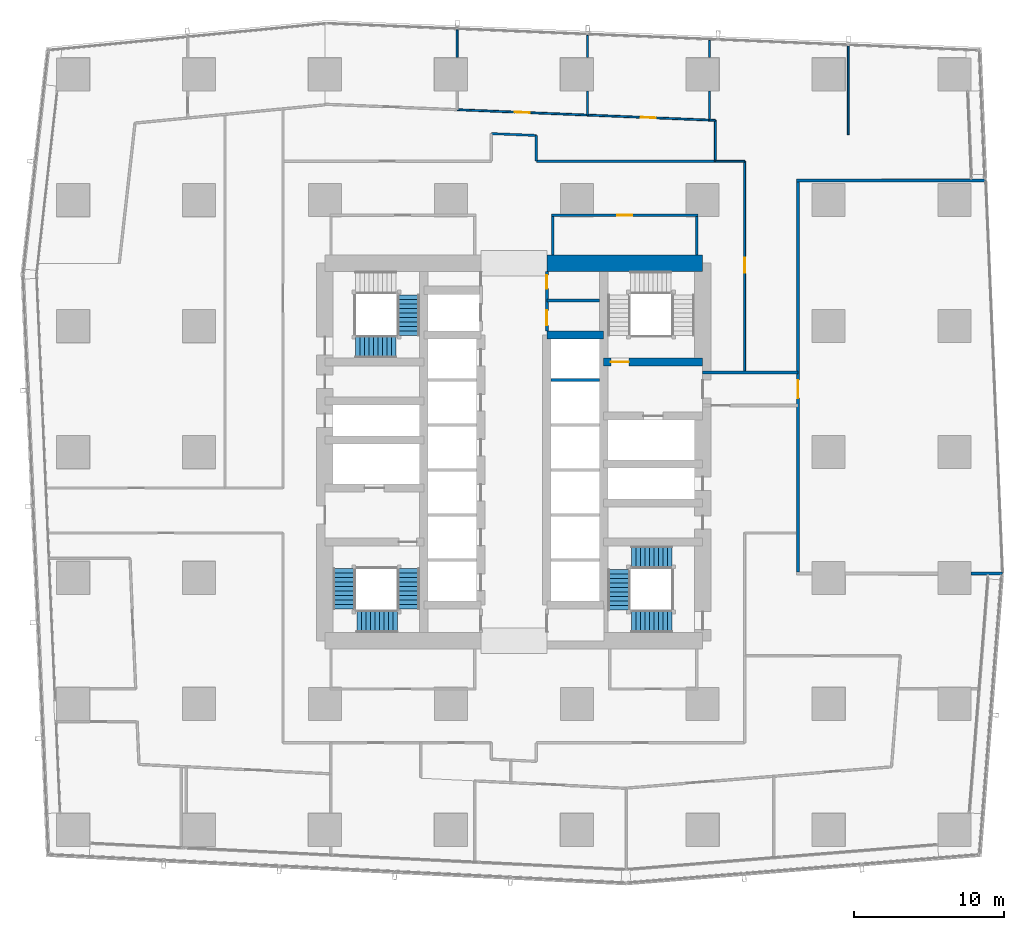
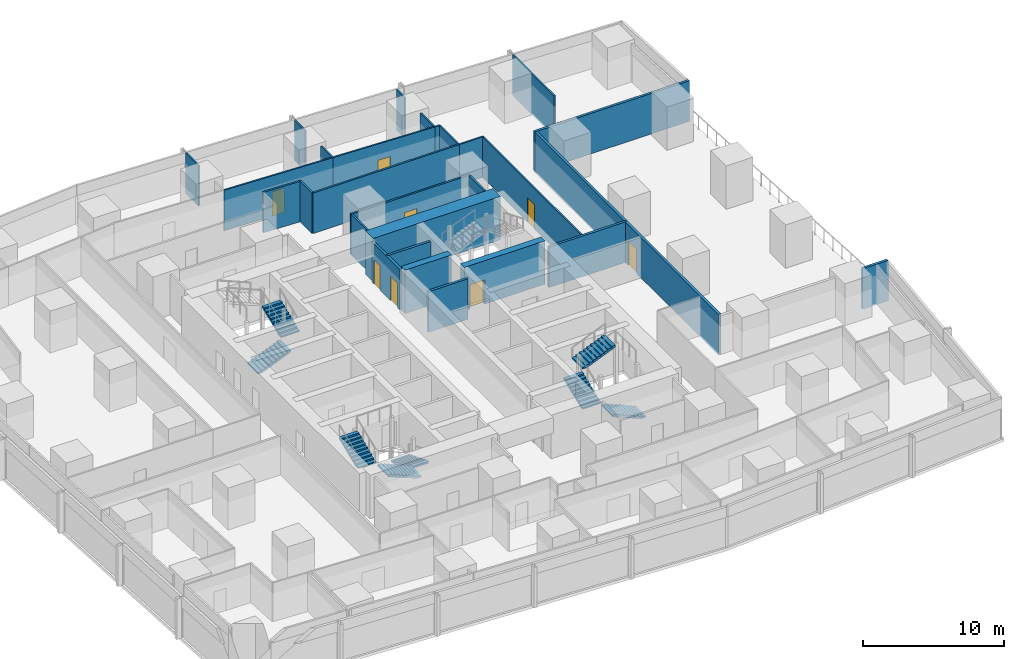
# One storey, part 32 of 42: 28 walls, 8 doors, 8 stair flights, 8 openings, 3 elements without a shape of their own.
"""IFC4 building model written with IfcOpenShell, lengths in metres."""

from ifc_helpers import new_model, si_unit, direction, frame, frame_2d, origin, place, context, subcontext, project, spatial, polyline, rectangle, outline, extrude, material, layer, layer_set, type_object, element, fill, aggregate, save


model = new_model("IFC4")

# Units and contexts
model_context = context("Model", 3, precision=1e-05, world=origin(), true_north=direction((0.0, 1.0)))
body_context = subcontext(model_context, "Body", "Model", "MODEL_VIEW")
ifc_project = project(units=[si_unit("LENGTHUNIT", "METRE"), si_unit("AREAUNIT", "SQUARE_METRE"), si_unit("VOLUMEUNIT", "CUBIC_METRE"), si_unit("PLANEANGLEUNIT", "RADIAN"), si_unit("MASSUNIT", "GRAM", prefix="KILO")], contexts=[model_context])

# Site, building, storey
site_placement = place(None, origin())
site = spatial("IfcSite", under=ifc_project, at=site_placement, CompositionType="ELEMENT")
building_placement = place(site_placement, origin())
building = spatial("IfcBuilding", under=site, at=building_placement, Name="Rekha Terrace Tower", CompositionType="ELEMENT")
storey_placement = place(building_placement, frame((0.0, 0.0, 70.39990234375)))
storey = spatial("IfcBuildingStorey", under=building, at=storey_placement, Name="L17", CompositionType="ELEMENT", Elevation=70.39990234375)

# Wall
ifc_material_1 = material(Name="Concrete M70", Category="concrete")
ifc_layer_1 = layer(ifc_material_1, 0.550048828125)
ifc_layer_set_1 = layer_set([ifc_layer_1], Name="Concrete M70")
wall_type_1 = type_object("IfcWallType", Name="CI1 550 core internal shear wall", PredefinedType="SHEAR", material=ifc_layer_set_1)
wall_1_placement = place(storey_placement, frame((40.0, 41.39990234375, 0.0), z_axis=(0.0, 0.0, 1.0), x_axis=(1.0, 0.0, 0.0)))
element("IfcWall", 1, at=wall_1_placement, inside=storey, type_object=wall_type_1, Name="Core wall Y414E L17", PredefinedType="SHEAR", context=body_context, shape_type="SweptSolid", body=[
    extrude(rectangle(XDim=3.800048828125, YDim=0.550048828125, at=frame_2d((1.89990234375, 0.0))), origin(), (0.0, 0.0, 1.0), 3.75),
])

# Wall, opening, door
wall_2_placement = place(storey_placement, frame((43.800048828125, 39.60009765625, 0.0), z_axis=(0.0, 0.0, 1.0), x_axis=(1.0, 0.0, 0.0)))
wall_2 = element("IfcWall", 2, at=wall_2_placement, inside=storey, type_object=wall_type_1, Name="Core wall Y396E L17", PredefinedType="SHEAR", context=body_context, shape_type="SweptSolid", body=[
    extrude(rectangle(XDim=6.599853515625, YDim=0.550048828125, at=frame_2d((3.2998046875, 0.0))), origin(), (0.0, 0.0, 1.0), 3.75),
])
opening_1_placement = place(wall_2_placement, frame((0.47509765625, 0.0, 0.0)))
opening_1 = element("IfcOpeningElement", 3, at=opening_1_placement, cuts=wall_2, Name="Opening D1", PredefinedType="OPENING", context=body_context, shape_type="SweptSolid", body=[
    extrude(rectangle(XDim=1.199951171875, YDim=2.10009765625, at=frame_2d((0.60009765625, 1.050048828125))), frame((0.0, 0.284912109375, 0.0), z_axis=(0.0, -1.0, 0.0), x_axis=(1.0, 0.0, 0.0)), (0.0, 0.0, 1.0), 0.570068359375),
])
ifc_material_2 = material(Name="Steel fire door", Category="steel")
door_type_1 = type_object("IfcDoorType", Name="D1 1200x2100 stair fire door", OperationType="SINGLE_SWING_RIGHT", PredefinedType="DOOR", material=ifc_material_2)
door_1_placement = place(opening_1_placement, origin())
door_1 = element("IfcDoor", 4, at=door_1_placement, inside=storey, type_object=door_type_1, Name="Stair ST2 door L17", OperationType="SINGLE_SWING_RIGHT", OverallHeight=2.10009765625, OverallWidth=1.199951171875, PredefinedType="DOOR", context=body_context, shape_type="SweptSolid", body=[
    extrude(rectangle(XDim=1.199951171875, YDim=2.10009765625, at=frame_2d((0.60009765625, 1.050048828125))), frame((0.0, 0.02490234375, 0.0), z_axis=(0.0, -1.0, 0.0), x_axis=(1.0, 0.0, 0.0)), (0.0, 0.0, 1.0), 0.050048828125),
])
fill(opening_1, door_1)

# Wall
ifc_layer_2 = layer(ifc_material_1, 1.10009765625)
ifc_layer_set_2 = layer_set([ifc_layer_2], Name="Concrete M70")
wall_type_2 = type_object("IfcWallType", Name="SW1 1100 core outer shear wall", PredefinedType="SHEAR", material=ifc_layer_set_2)
wall_3_placement = place(storey_placement, frame((40.0, 46.199951171875, 0.0), z_axis=(0.0, 0.0, 1.0), x_axis=(1.0, 0.0, 0.0)))
element("IfcWall", 5, at=wall_3_placement, inside=storey, type_object=wall_type_2, Name="Core wall N2 L17", PredefinedType="SHEAR", context=body_context, shape_type="SweptSolid", body=[
    extrude(rectangle(XDim=10.39990234375, YDim=1.10009765625, at=frame_2d((5.199951171875, 0.0))), origin(), (0.0, 0.0, 1.0), 3.75),
])

# Wall, opening, door
ifc_material_3 = material(Name="Concrete block masonry, 1 hour", Category="masonry")
ifc_layer_3 = layer(ifc_material_3, 0.14990234375)
ifc_layer_set_3 = layer_set([ifc_layer_3], Name="Concrete block masonry, 1 hour")
wall_type_3 = type_object("IfcWallType", Name="WP2 150 tenancy partition", PredefinedType="PARTITIONING", material=ifc_layer_set_3)
wall_4_placement = place(storey_placement, frame((40.324951171875, 49.39990234375, 0.0), z_axis=(0.0, 0.0, 1.0), x_axis=(1.0, 0.0, 0.0)))
wall_4 = element("IfcWall", 6, at=wall_4_placement, inside=storey, type_object=wall_type_3, Name="Women's WC wall L17", PredefinedType="PARTITIONING", context=body_context, shape_type="SweptSolid", body=[
    extrude(rectangle(XDim=9.75, YDim=0.14990234375, at=frame_2d((4.875, 0.0))), origin(), (0.0, 0.0, 1.0), 3.5),
])
opening_2_placement = place(wall_4_placement, frame((4.375, 0.0, 0.0)))
opening_2 = element("IfcOpeningElement", 7, at=opening_2_placement, cuts=wall_4, Name="Opening D3", PredefinedType="OPENING", context=body_context, shape_type="SweptSolid", body=[
    extrude(rectangle(XDim=1.0, YDim=2.10009765625, at=frame_2d((0.5, 1.050048828125))), frame((0.0, 0.0849609375, 0.0), z_axis=(0.0, -1.0, 0.0), x_axis=(1.0, 0.0, 0.0)), (0.0, 0.0, 1.0), 0.169921875),
])
ifc_material_4 = material(Name="Laminated timber fire door", Category="wood")
door_type_2 = type_object("IfcDoorType", Name="D3 1000x2100 WC door", OperationType="SINGLE_SWING_LEFT", PredefinedType="DOOR", material=ifc_material_4)
door_2_placement = place(opening_2_placement, origin())
door_2 = element("IfcDoor", 8, at=door_2_placement, inside=storey, type_object=door_type_2, Name="Door women's wc L17", OperationType="SINGLE_SWING_LEFT", OverallHeight=2.10009765625, OverallWidth=1.0, PredefinedType="DOOR", context=body_context, shape_type="SweptSolid", body=[
    extrude(rectangle(XDim=1.0, YDim=2.10009765625, at=frame_2d((0.5, 1.050048828125))), frame((0.0, 0.02490234375, 0.0), z_axis=(0.0, -1.0, 0.0), x_axis=(1.0, 0.0, 0.0)), (0.0, 0.0, 1.0), 0.050048828125),
])
fill(opening_2, door_2)

# Walls
for number, where, z_axis, x_axis, name in (
    (9, (40.39990234375, 46.75, 0.0), (0.0, 0.0, 1.0), (0.0, 1.0, 0.0), "Women's WC wall L17"),
    (10, (50.0, 46.75, 0.0), (0.0, 0.0, 1.0), (0.0, 1.0, 0.0), "Women's WC wall L17"),
):
    element("IfcWall", number, at=place(storey_placement, frame(where, z_axis=z_axis, x_axis=x_axis)), inside=storey, type_object=wall_type_3, Name=name, PredefinedType="PARTITIONING", context=body_context, shape_type="SweptSolid", body=[
        extrude(rectangle(XDim=2.574951171875, YDim=0.14990234375, at=frame_2d((1.28759765625, 0.0))), origin(), (0.0, 0.0, 1.0), 3.5),
    ])
wall_5_placement = place(storey_placement, frame((51.2490234375, 53.0, 0.0), z_axis=(0.0, 0.0, 1.0), x_axis=(-1.0, 0.0, 0.0)))
element("IfcWall", 11, at=wall_5_placement, inside=storey, type_object=wall_type_3, Name="Partition L17-O3", PredefinedType="PARTITIONING", context=body_context, shape_type="SweptSolid", body=[
    extrude(rectangle(XDim=11.948974609375, YDim=0.14990234375, at=frame_2d((5.974609375, 0.0))), origin(), (0.0, 0.0, 1.0), 3.5),
])
wall_6_placement = place(storey_placement, frame((39.300048828125, 53.0, 0.0), z_axis=(0.0, 0.0, 1.0), x_axis=(0.0, 1.0, 0.0)))
element("IfcWall", 12, at=wall_6_placement, inside=storey, type_object=wall_type_3, Name="Partition L17-O3", PredefinedType="PARTITIONING", context=body_context, shape_type="SweptSolid", body=[
    extrude(rectangle(XDim=1.718017578125, YDim=0.14990234375, at=frame_2d((0.85888671875, 0.0))), origin(), (0.0, 0.0, 1.0), 3.5),
])
wall_7_placement = place(storey_placement, frame((39.300048828125, 54.718017578125, 0.0), z_axis=(0.0, 0.0, 1.0), x_axis=(-0.999146548644, 0.041305863176, 0.0)))
element("IfcWall", 13, at=wall_7_placement, inside=storey, type_object=wall_type_3, Name="Partition L17-O3", PredefinedType="PARTITIONING", context=body_context, shape_type="SweptSolid", body=[
    extrude(rectangle(XDim=3.00244140625, YDim=0.14990234375, at=frame_2d((1.501220703125, 0.0))), origin(), (0.0, 0.0, 1.0), 3.5),
])

# Wall, opening, door
ifc_material_5 = material(Name="Two layers of fire-rated gypsum board each side on steel studs, acoustic quilt, 1 hour", Category="steel")
ifc_layer_4 = layer(ifc_material_5, 0.125)
ifc_layer_set_4 = layer_set([ifc_layer_4], Name="Two layers of fire-rated gypsum board each side on steel studs, acoustic quilt, 1 hour")
wall_type_4 = type_object("IfcWallType", Name="WP3 125 office partition", PredefinedType="PARTITIONING", material=ifc_layer_set_4)
wall_8_placement = place(storey_placement, frame((53.199951171875, 39.010986328125, 0.0), z_axis=(0.0, 0.0, 1.0), x_axis=(0.0, 1.0, 0.0)))
wall_8 = element("IfcWall", 14, at=wall_8_placement, inside=storey, type_object=wall_type_4, Name="Partition L17-09", PredefinedType="PARTITIONING", context=body_context, shape_type="SweptSolid", body=[
    extrude(rectangle(XDim=13.989013671875, YDim=0.125, at=frame_2d((6.99462890625, 0.0))), origin(), (0.0, 0.0, 1.0), 3.5),
])
opening_3_placement = place(wall_8_placement, frame((6.56396484375, 0.0, 0.0)))
opening_3 = element("IfcOpeningElement", 15, at=opening_3_placement, cuts=wall_8, Name="Opening D9", PredefinedType="OPENING", context=body_context, shape_type="SweptSolid", body=[
    extrude(rectangle(XDim=1.0, YDim=2.10009765625, at=frame_2d((0.5, 1.050048828125))), frame((0.0, 0.072509765625, 0.0), z_axis=(0.0, -1.0, 0.0), x_axis=(1.0, 0.0, 0.0)), (0.0, 0.0, 1.0), 0.14501953125),
])
ifc_material_6 = material(Name="Timber fire door", Category="wood")
door_type_3 = type_object("IfcDoorType", Name="D9 1000x2100 office door", OperationType="SINGLE_SWING_LEFT", PredefinedType="DOOR", material=ifc_material_6)
door_3_placement = place(opening_3_placement, origin())
door_3 = element("IfcDoor", 16, at=door_3_placement, inside=storey, type_object=door_type_3, Name="Door director's office L17", OperationType="SINGLE_SWING_LEFT", OverallHeight=2.10009765625, OverallWidth=1.0, PredefinedType="DOOR", context=body_context, shape_type="SweptSolid", body=[
    extrude(rectangle(XDim=1.0, YDim=2.10009765625, at=frame_2d((0.5, 1.050048828125))), frame((0.0, 0.02490234375, 0.0), z_axis=(0.0, -1.0, 0.0), x_axis=(1.0, 0.0, 0.0)), (0.0, 0.0, 1.0), 0.050048828125),
])
fill(opening_3, door_3)

# Walls
wall_9_placement = place(storey_placement, frame((53.199951171875, 53.0, 0.0), z_axis=(0.0, 0.0, 1.0), x_axis=(-1.0, 0.0, 0.0)))
element("IfcWall", 17, at=wall_9_placement, inside=storey, type_object=wall_type_4, Name="Partition L17-09", PredefinedType="PARTITIONING", context=body_context, shape_type="SweptSolid", body=[
    extrude(rectangle(XDim=1.950927734375, YDim=0.125, at=frame_2d((0.9755859375, 0.0))), origin(), (0.0, 0.0, 1.0), 3.5),
])
wall_10_placement = place(storey_placement, frame((51.2490234375, 53.0, 0.0), z_axis=(0.0, 0.0, 1.0), x_axis=(0.0, 1.0, 0.0)))
element("IfcWall", 18, at=wall_10_placement, inside=storey, type_object=wall_type_4, Name="Partition L17-09", PredefinedType="PARTITIONING", context=body_context, shape_type="SweptSolid", body=[
    extrude(rectangle(XDim=2.72705078125, YDim=0.125, at=frame_2d((1.363525390625, 0.0))), origin(), (0.0, 0.0, 1.0), 3.5),
])
wall_11_placement = place(storey_placement, frame((51.2490234375, 55.72705078125, 0.0), z_axis=(0.0, 0.0, 1.0), x_axis=(-0.999205847468, 0.039845631954, 0.0)))
element("IfcWall", 19, at=wall_11_placement, inside=storey, type_object=wall_type_4, Name="Partition L17-09", PredefinedType="PARTITIONING", context=body_context, shape_type="SweptSolid", body=[
    extrude(rectangle(XDim=0.398193359375, YDim=0.125, at=frame_2d((0.19921875, 0.0))), origin(), (0.0, 0.0, 1.0), 3.5),
])
wall_12_placement = place(storey_placement, frame((50.85107421875, 55.742919921875, 0.0), z_axis=(0.0, 0.0, 1.0), x_axis=(0.0, 1.0, 0.0)))
element("IfcWall", 20, at=wall_12_placement, inside=storey, type_object=wall_type_4, Name="Partition L17-09", PredefinedType="PARTITIONING", context=body_context, shape_type="SweptSolid", body=[
    extrude(rectangle(XDim=1.93701171875, YDim=0.125, at=frame_2d((0.968505859375, 0.0))), origin(), (0.0, 0.0, 1.0), 3.5),
])
wall_13_placement = place(storey_placement, frame((50.85107421875, 59.919921875, 0.0), z_axis=(0.0, 0.0, 1.0), x_axis=(0.0, 1.0, 0.0)))
element("IfcWall", 21, at=wall_13_placement, inside=storey, type_object=wall_type_4, Name="Partition L17-09", PredefinedType="PARTITIONING", context=body_context, shape_type="SweptSolid", body=[
    extrude(rectangle(XDim=1.148193359375, YDim=0.125, at=frame_2d((0.57421875, 0.0))), origin(), (0.0, 0.0, 1.0), 3.5),
])
wall_14_placement = place(storey_placement, frame((60.111083984375, 60.68603515625, 0.0), z_axis=(0.0, 0.0, 1.0), x_axis=(0.0, -1.0, 0.0)))
element("IfcWall", 22, at=wall_14_placement, inside=storey, type_object=wall_type_4, Name="Partition L17-09", PredefinedType="PARTITIONING", context=body_context, shape_type="SweptSolid", body=[
    extrude(rectangle(XDim=5.919921875, YDim=0.125, at=frame_2d((2.9599609375, 0.0))), origin(), (0.0, 0.0, 1.0), 3.5),
])

# Wall, opening, door
wall_15_placement = place(storey_placement, frame((50.85009765625, 55.742919921875, 0.0), z_axis=(0.0, 0.0, 1.0), x_axis=(-0.999152563779, 0.041160105615, 0.0)))
wall_15 = element("IfcWall", 23, at=wall_15_placement, inside=storey, type_object=wall_type_4, Name="Partition L17-10", PredefinedType="PARTITIONING", context=body_context, shape_type="SweptSolid", body=[
    extrude(rectangle(XDim=8.137939453125, YDim=0.125, at=frame_2d((4.06884765625, 0.0))), origin(), (0.0, 0.0, 1.0), 3.5),
])
opening_4_placement = place(wall_15_placement, frame((3.569091796875, 0.0, 0.0)))
opening_4 = element("IfcOpeningElement", 24, at=opening_4_placement, cuts=wall_15, Name="Opening D9", PredefinedType="OPENING", context=body_context, shape_type="SweptSolid", body=[
    extrude(rectangle(XDim=1.0, YDim=2.10009765625, at=frame_2d((0.5, 1.050048828125))), frame((0.0, 0.072509765625, 0.0), z_axis=(0.0, -1.0, 0.0), x_axis=(1.0, 0.0, 0.0)), (0.0, 0.0, 1.0), 0.14501953125),
])
door_4_placement = place(opening_4_placement, origin())
door_4 = element("IfcDoor", 25, at=door_4_placement, inside=storey, type_object=door_type_3, Name="Door office L17", OperationType="SINGLE_SWING_LEFT", OverallHeight=2.10009765625, OverallWidth=1.0, PredefinedType="DOOR", context=body_context, shape_type="SweptSolid", body=[
    extrude(rectangle(XDim=1.0, YDim=2.10009765625, at=frame_2d((0.5, 1.050048828125))), frame((0.0, 0.02490234375, 0.0), z_axis=(0.0, -1.0, 0.0), x_axis=(1.0, 0.0, 0.0)), (0.0, 0.0, 1.0), 0.050048828125),
])
fill(opening_4, door_4)

# Walls
wall_16_placement = place(storey_placement, frame((42.718994140625, 56.077880859375, 0.0), z_axis=(0.0, 0.0, 1.0), x_axis=(0.0, 1.0, 0.0)))
element("IfcWall", 26, at=wall_16_placement, inside=storey, type_object=wall_type_4, Name="Partition L17-10", PredefinedType="PARTITIONING", context=body_context, shape_type="SweptSolid", body=[
    extrude(rectangle(XDim=1.60205078125, YDim=0.125, at=frame_2d((0.801025390625, 0.0))), origin(), (0.0, 0.0, 1.0), 3.5),
])
wall_17_placement = place(storey_placement, frame((42.718994140625, 59.919921875, 0.0), z_axis=(0.0, 0.0, 1.0), x_axis=(0.0, 1.0, 0.0)))
element("IfcWall", 27, at=wall_17_placement, inside=storey, type_object=wall_type_4, Name="Partition L17-10", PredefinedType="PARTITIONING", context=body_context, shape_type="SweptSolid", body=[
    extrude(rectangle(XDim=1.483154296875, YDim=0.125, at=frame_2d((0.74169921875, 0.0))), origin(), (0.0, 0.0, 1.0), 3.5),
])

# Wall, opening, door
wall_18_placement = place(storey_placement, frame((42.718017578125, 56.077880859375, 0.0), z_axis=(0.0, 0.0, 1.0), x_axis=(-0.99914812822, 0.041267637136, 0.0)))
wall_18 = element("IfcWall", 28, at=wall_18_placement, inside=storey, type_object=wall_type_4, Name="Partition L17-11", PredefinedType="PARTITIONING", context=body_context, shape_type="SweptSolid", body=[
    extrude(rectangle(XDim=8.702392578125, YDim=0.125, at=frame_2d((4.35107421875, 0.0))), origin(), (0.0, 0.0, 1.0), 3.5),
])
opening_5_placement = place(wall_18_placement, frame((3.85107421875, 0.0, 0.0)))
opening_5 = element("IfcOpeningElement", 29, at=opening_5_placement, cuts=wall_18, Name="Opening D9", PredefinedType="OPENING", context=body_context, shape_type="SweptSolid", body=[
    extrude(rectangle(XDim=1.0, YDim=2.10009765625, at=frame_2d((0.5, 1.050048828125))), frame((0.0, 0.072509765625, 0.0), z_axis=(0.0, -1.0, 0.0), x_axis=(1.0, 0.0, 0.0)), (0.0, 0.0, 1.0), 0.14501953125),
])
door_5_placement = place(opening_5_placement, origin())
door_5 = element("IfcDoor", 30, at=door_5_placement, inside=storey, type_object=door_type_3, Name="Door office L17", OperationType="SINGLE_SWING_LEFT", OverallHeight=2.10009765625, OverallWidth=1.0, PredefinedType="DOOR", context=body_context, shape_type="SweptSolid", body=[
    extrude(rectangle(XDim=1.0, YDim=2.10009765625, at=frame_2d((0.5, 1.050048828125))), frame((0.0, 0.02490234375, 0.0), z_axis=(0.0, -1.0, 0.0), x_axis=(1.0, 0.0, 0.0)), (0.0, 0.0, 1.0), 0.050048828125),
])
fill(opening_5, door_5)

# Walls
wall_19_placement = place(storey_placement, frame((34.02294921875, 59.919921875, 0.0), z_axis=(0.0, 0.0, 1.0), x_axis=(0.0, 1.0, 0.0)))
element("IfcWall", 31, at=wall_19_placement, inside=storey, type_object=wall_type_4, Name="Partition L17-11", PredefinedType="PARTITIONING", context=body_context, shape_type="SweptSolid", body=[
    extrude(rectangle(XDim=1.841064453125, YDim=0.125, at=frame_2d((0.92041015625, 0.0))), origin(), (0.0, 0.0, 1.0), 3.5),
])
ifc_material_7 = material(Name="Solid concrete block masonry, 2 hour", Category="masonry")
ifc_layer_5 = layer(ifc_material_7, 0.199951171875)
ifc_layer_set_5 = layer_set([ifc_layer_5], Name="Solid concrete block masonry, 2 hour")
wall_type_5 = type_object("IfcWallType", Name="WS1 200 stair and shaft enclosure", PredefinedType="PARTITIONING", material=ifc_layer_set_5)
wall_20_placement = place(storey_placement, frame((40.27490234375, 38.39990234375, 0.0), z_axis=(0.0, 0.0, 1.0), x_axis=(1.0, 0.0, 0.0)))
element("IfcWall", 32, at=wall_20_placement, inside=storey, type_object=wall_type_5, Name="Lift shaft divider L17", PredefinedType="PARTITIONING", context=body_context, shape_type="SweptSolid", body=[
    extrude(rectangle(XDim=3.25, YDim=0.199951171875, at=frame_2d((1.625, 0.0))), origin(), (0.0, 0.0, 1.0), 3.5),
])

# Wall, openings, doors
wall_21_placement = place(storey_placement, frame((40.0, 41.675048828125, 0.0), z_axis=(0.0, 0.0, 1.0), x_axis=(0.0, 1.0, 0.0)))
wall_21 = element("IfcWall", 33, at=wall_21_placement, inside=storey, type_object=wall_type_5, Name="Core partition elec L17", PredefinedType="PARTITIONING", context=body_context, shape_type="SweptSolid", body=[
    extrude(rectangle(XDim=3.974853515625, YDim=0.199951171875, at=frame_2d((1.9873046875, 0.0))), origin(), (0.0, 0.0, 1.0), 3.5),
])
opening_6_placement = place(wall_21_placement, frame((2.824951171875, 0.0, 0.0)))
opening_6 = element("IfcOpeningElement", 34, at=opening_6_placement, cuts=wall_21, Name="Opening D5", PredefinedType="OPENING", context=body_context, shape_type="SweptSolid", body=[
    extrude(rectangle(XDim=0.89990234375, YDim=2.10009765625, at=frame_2d((0.449951171875, 1.050048828125))), frame((0.0, 0.10986328125, 0.0), z_axis=(0.0, -1.0, 0.0), x_axis=(1.0, 0.0, 0.0)), (0.0, 0.0, 1.0), 0.219970703125),
])
opening_7_placement = place(wall_21_placement, frame((0.375, 0.0, 0.0)))
opening_7 = element("IfcOpeningElement", 35, at=opening_7_placement, cuts=wall_21, Name="Opening D9", PredefinedType="OPENING", context=body_context, shape_type="SweptSolid", body=[
    extrude(rectangle(XDim=1.0, YDim=2.10009765625, at=frame_2d((0.5, 1.050048828125))), frame((0.0, 0.10986328125, 0.0), z_axis=(0.0, -1.0, 0.0), x_axis=(1.0, 0.0, 0.0)), (0.0, 0.0, 1.0), 0.219970703125),
])
door_type_4 = type_object("IfcDoorType", Name="D5 900x2100 riser access door", OperationType="SINGLE_SWING_LEFT", PredefinedType="DOOR", material=ifc_material_2)
door_6_placement = place(opening_6_placement, origin())
door_6 = element("IfcDoor", 36, at=door_6_placement, inside=storey, type_object=door_type_4, Name="Door electrical room L17", OperationType="SINGLE_SWING_LEFT", OverallHeight=2.10009765625, OverallWidth=0.89990234375, PredefinedType="DOOR", context=body_context, shape_type="SweptSolid", body=[
    extrude(rectangle(XDim=0.89990234375, YDim=2.10009765625, at=frame_2d((0.449951171875, 1.050048828125))), frame((0.0, 0.02490234375, 0.0), z_axis=(0.0, -1.0, 0.0), x_axis=(1.0, 0.0, 0.0)), (0.0, 0.0, 1.0), 0.050048828125),
])
fill(opening_6, door_6)
door_7_placement = place(opening_7_placement, origin())
door_7 = element("IfcDoor", 37, at=door_7_placement, inside=storey, type_object=door_type_3, Name="Door first aid room L17", OperationType="SINGLE_SWING_LEFT", OverallHeight=2.10009765625, OverallWidth=1.0, PredefinedType="DOOR", context=body_context, shape_type="SweptSolid", body=[
    extrude(rectangle(XDim=1.0, YDim=2.10009765625, at=frame_2d((0.5, 1.050048828125))), frame((0.0, 0.02490234375, 0.0), z_axis=(0.0, -1.0, 0.0), x_axis=(1.0, 0.0, 0.0)), (0.0, 0.0, 1.0), 0.050048828125),
])
fill(opening_7, door_7)

# Wall
wall_22_placement = place(storey_placement, frame((40.0, 43.699951171875, 0.0), z_axis=(0.0, 0.0, 1.0), x_axis=(1.0, 0.0, 0.0)))
element("IfcWall", 38, at=wall_22_placement, inside=storey, type_object=wall_type_5, Name="Core partition elx L17", PredefinedType="PARTITIONING", context=body_context, shape_type="SweptSolid", body=[
    extrude(rectangle(XDim=3.52490234375, YDim=0.199951171875, at=frame_2d((1.762451171875, 0.0))), origin(), (0.0, 0.0, 1.0), 3.5),
])

# Wall, opening, door
wall_23_placement = place(storey_placement, frame((56.75, 25.60302734375, 0.0), z_axis=(0.0, 0.0, 1.0), x_axis=(0.0, 1.0, 0.0)))
wall_23 = element("IfcWall", 39, at=wall_23_placement, inside=storey, type_object=wall_type_5, Name="Refuge area inner wall L17", PredefinedType="PARTITIONING", context=body_context, shape_type="SweptSolid", body=[
    extrude(rectangle(XDim=26.007080078125, YDim=0.199951171875, at=frame_2d((13.00341796875, 0.0))), origin(), (0.0, 0.0, 1.0), 3.5),
])
opening_8_placement = place(wall_23_placement, frame((11.596923828125, 0.0, 0.0)))
opening_8 = element("IfcOpeningElement", 40, at=opening_8_placement, cuts=wall_23, Name="Opening D2", PredefinedType="OPENING", context=body_context, shape_type="SweptSolid", body=[
    extrude(rectangle(XDim=1.199951171875, YDim=2.10009765625, at=frame_2d((0.60009765625, 1.050048828125))), frame((0.0, 0.10986328125, 0.0), z_axis=(0.0, -1.0, 0.0), x_axis=(1.0, 0.0, 0.0)), (0.0, 0.0, 1.0), 0.219970703125),
])
door_type_5 = type_object("IfcDoorType", Name="D2 1200x2100 firefighting lobby door", OperationType="SINGLE_SWING_LEFT", PredefinedType="DOOR", material=ifc_material_2)
door_8_placement = place(opening_8_placement, origin())
door_8 = element("IfcDoor", 41, at=door_8_placement, inside=storey, type_object=door_type_5, Name="Refuge area door L17", OperationType="SINGLE_SWING_LEFT", OverallHeight=2.10009765625, OverallWidth=1.199951171875, PredefinedType="DOOR", context=body_context, shape_type="SweptSolid", body=[
    extrude(rectangle(XDim=1.199951171875, YDim=2.10009765625, at=frame_2d((0.60009765625, 1.050048828125))), frame((0.0, 0.02490234375, 0.0), z_axis=(0.0, -1.0, 0.0), x_axis=(1.0, 0.0, 0.0)), (0.0, 0.0, 1.0), 0.050048828125),
])
fill(opening_8, door_8)

# Walls
wall_24_placement = place(storey_placement, frame((68.300048828125, 25.5029296875, 0.0), z_axis=(0.0, 0.0, 1.0), x_axis=(1.0, 0.0, 0.0)))
element("IfcWall", 42, at=wall_24_placement, inside=storey, type_object=wall_type_5, Name="Refuge area south wall L17", PredefinedType="PARTITIONING", context=body_context, shape_type="SweptSolid", body=[
    extrude(rectangle(XDim=2.099853515625, YDim=0.199951171875, at=frame_2d((1.0498046875, 0.0))), origin(), (0.0, 0.0, 1.0), 3.5),
])
wall_25_placement = place(storey_placement, frame((56.64990234375, 51.7099609375, 0.0), z_axis=(0.0, 0.0, 1.0), x_axis=(1.0, 0.0, 0.0)))
element("IfcWall", 43, at=wall_25_placement, inside=storey, type_object=wall_type_5, Name="Refuge area north wall L17", PredefinedType="PARTITIONING", context=body_context, shape_type="SweptSolid", body=[
    extrude(rectangle(XDim=12.630126953125, YDim=0.199951171875, at=frame_2d((6.31494140625, 0.0))), origin(), (0.0, 0.0, 1.0), 3.5),
])
wall_26_placement = place(storey_placement, frame((50.39990234375, 38.89990234375, 0.0), z_axis=(0.0, 0.0, 1.0), x_axis=(1.0, 0.0, 0.0)))
element("IfcWall", 44, at=wall_26_placement, inside=storey, type_object=wall_type_5, Name="Refuge corridor north wall L17", PredefinedType="PARTITIONING", context=body_context, shape_type="SweptSolid", body=[
    extrude(rectangle(XDim=6.35009765625, YDim=0.199951171875, at=frame_2d((3.175048828125, 0.0))), origin(), (0.0, 0.0, 1.0), 3.5),
])

# Stair, stair flights
ifc_material_8 = material(Name="Concrete M40", Category="concrete")
stair_type = type_object("IfcStairType", Name="ST30 stair, 30 risers of 125, going 300, 1500 wide flights, 3 flights", PredefinedType="HALF_TURN_STAIR", material=ifc_material_8)
stair_1_placement = place(storey_placement, origin())
stair_1 = element("IfcStair", 45, at=stair_1_placement, inside=storey, type_object=stair_type, Name="Stair ST1 L17 to L18", PredefinedType="HALF_TURN_STAIR")
stair_flight_type = type_object("IfcStairFlightType", Name="SF10 stair flight, 10 risers of 125, going 300, 1500 wide", PredefinedType="STRAIGHT", material=ifc_material_8)
stair_flight_1_placement = place(storey_placement, frame((30.77490234375, 25.824951171875, 0.0), z_axis=(0.0, 0.0, 1.0), x_axis=(0.0, -1.0, 0.0)))
stair_flight_1 = element("IfcStairFlight", 46, at=stair_flight_1_placement, type_object=stair_flight_type, Name="ST1 flight 1", NumberOfRisers=10, NumberOfTreads=9, PredefinedType="STRAIGHT", RiserHeight=0.125, TreadLength=0.3, context=body_context, shape_type="SweptSolid", body=[
    extrude(outline(polyline([(0.0, 0.0), (0.0, 0.125), (0.300048828125, 0.125), (0.300048828125, 0.25), (0.60009765625, 0.25), (0.60009765625, 0.375), (0.89990234375, 0.375), (0.89990234375, 0.5), (1.199951171875, 0.5), (1.199951171875, 0.625), (1.5, 0.625), (1.5, 0.75), (1.800048828125, 0.75), (1.800048828125, 0.875), (2.10009765625, 0.875), (2.10009765625, 1.0), (2.39990234375, 1.0), (2.39990234375, 1.125), (2.699951171875, 1.125), (2.699951171875, 1.25), (2.699951171875, 0.962646484375), (0.3896484375, 0.0), (0.0, 0.0)])), frame((0.0, 0.75, 0.0), z_axis=(0.0, -1.0, 0.0), x_axis=(1.0, 0.0, 0.0)), (0.0, 0.0, 1.0), 1.5),
])
stair_flight_2_placement = place(storey_placement, frame((30.02490234375, 22.300048828125, 1.25), z_axis=(0.0, 0.0, 1.0), x_axis=(-1.0, 0.0, 0.0)))
stair_flight_2 = element("IfcStairFlight", 47, at=stair_flight_2_placement, type_object=stair_flight_type, Name="ST1 flight 2", NumberOfRisers=10, NumberOfTreads=9, PredefinedType="STRAIGHT", RiserHeight=0.125, TreadLength=0.3, context=body_context, shape_type="SweptSolid", body=[
    extrude(outline(polyline([(0.0, 0.0), (0.0, 0.125), (0.300048828125, 0.125), (0.300048828125, 0.25), (0.60009765625, 0.25), (0.60009765625, 0.375), (0.89990234375, 0.375), (0.89990234375, 0.5), (1.199951171875, 0.5), (1.199951171875, 0.625), (1.5, 0.625), (1.5, 0.75), (1.800048828125, 0.75), (1.800048828125, 0.875), (2.10009765625, 0.875), (2.10009765625, 1.0), (2.39990234375, 1.0), (2.39990234375, 1.125), (2.699951171875, 1.125), (2.699951171875, 1.25), (2.699951171875, 0.962646484375), (0.3896484375, 0.0), (0.0, 0.0)])), frame((0.0, 0.75, 0.0), z_axis=(0.0, -1.0, 0.0), x_axis=(1.0, 0.0, 0.0)), (0.0, 0.0, 1.0), 1.5),
])
stair_flight_3_placement = place(storey_placement, frame((26.5, 23.125, 2.5), z_axis=(0.0, 0.0, 1.0), x_axis=(0.0, 1.0, 0.0)))
stair_flight_3 = element("IfcStairFlight", 48, at=stair_flight_3_placement, type_object=stair_flight_type, Name="ST1 flight 3", NumberOfRisers=10, NumberOfTreads=9, PredefinedType="STRAIGHT", RiserHeight=0.125, TreadLength=0.3, context=body_context, shape_type="SweptSolid", body=[
    extrude(outline(polyline([(0.0, 0.0), (0.0, 0.125), (0.300048828125, 0.125), (0.300048828125, 0.25), (0.60009765625, 0.25), (0.60009765625, 0.375), (0.89990234375, 0.375), (0.89990234375, 0.5), (1.199951171875, 0.5), (1.199951171875, 0.625), (1.5, 0.625), (1.5, 0.75), (1.800048828125, 0.75), (1.800048828125, 0.875), (2.10009765625, 0.875), (2.10009765625, 1.0), (2.39990234375, 1.0), (2.39990234375, 1.125), (2.699951171875, 1.125), (2.699951171875, 1.25), (2.699951171875, 0.962646484375), (0.3896484375, 0.0), (0.0, 0.0)])), frame((0.0, 0.75, 0.0), z_axis=(0.0, -1.0, 0.0), x_axis=(1.0, 0.0, 0.0)), (0.0, 0.0, 1.0), 1.5),
])
aggregate(stair_1, [stair_flight_1, stair_flight_2, stair_flight_3])

stair_2_placement = place(storey_placement, origin())
stair_2 = element("IfcStair", 49, at=stair_2_placement, inside=storey, type_object=stair_type, Name="Stair ST3 L17 to L18", PredefinedType="HALF_TURN_STAIR")
stair_flight_4_placement = place(storey_placement, frame((48.35009765625, 22.300048828125, 0.0), z_axis=(0.0, 0.0, 1.0), x_axis=(-1.0, 0.0, 0.0)))
stair_flight_4 = element("IfcStairFlight", 50, at=stair_flight_4_placement, type_object=stair_flight_type, Name="ST3 flight 1", NumberOfRisers=10, NumberOfTreads=9, PredefinedType="STRAIGHT", RiserHeight=0.125, TreadLength=0.3, context=body_context, shape_type="SweptSolid", body=[
    extrude(outline(polyline([(0.0, 0.0), (0.0, 0.125), (0.300048828125, 0.125), (0.300048828125, 0.25), (0.60009765625, 0.25), (0.60009765625, 0.375), (0.89990234375, 0.375), (0.89990234375, 0.5), (1.199951171875, 0.5), (1.199951171875, 0.625), (1.5, 0.625), (1.5, 0.75), (1.800048828125, 0.75), (1.800048828125, 0.875), (2.10009765625, 0.875), (2.10009765625, 1.0), (2.39990234375, 1.0), (2.39990234375, 1.125), (2.699951171875, 1.125), (2.699951171875, 1.25), (2.699951171875, 0.962646484375), (0.3896484375, 0.0), (0.0, 0.0)])), frame((0.0, 0.75, 0.0), z_axis=(0.0, -1.0, 0.0), x_axis=(1.0, 0.0, 0.0)), (0.0, 0.0, 1.0), 1.5),
])
stair_flight_5_placement = place(storey_placement, frame((44.824951171875, 23.050048828125, 1.25), z_axis=(0.0, 0.0, 1.0), x_axis=(0.0, 1.0, 0.0)))
stair_flight_5 = element("IfcStairFlight", 51, at=stair_flight_5_placement, type_object=stair_flight_type, Name="ST3 flight 2", NumberOfRisers=10, NumberOfTreads=9, PredefinedType="STRAIGHT", RiserHeight=0.125, TreadLength=0.3, context=body_context, shape_type="SweptSolid", body=[
    extrude(outline(polyline([(0.0, 0.0), (0.0, 0.125), (0.300048828125, 0.125), (0.300048828125, 0.25), (0.60009765625, 0.25), (0.60009765625, 0.375), (0.89990234375, 0.375), (0.89990234375, 0.5), (1.199951171875, 0.5), (1.199951171875, 0.625), (1.5, 0.625), (1.5, 0.75), (1.800048828125, 0.75), (1.800048828125, 0.875), (2.10009765625, 0.875), (2.10009765625, 1.0), (2.39990234375, 1.0), (2.39990234375, 1.125), (2.699951171875, 1.125), (2.699951171875, 1.25), (2.699951171875, 0.962646484375), (0.3896484375, 0.0), (0.0, 0.0)])), frame((0.0, 0.75, 0.0), z_axis=(0.0, -1.0, 0.0), x_axis=(1.0, 0.0, 0.0)), (0.0, 0.0, 1.0), 1.5),
])
stair_flight_6_placement = place(storey_placement, frame((45.64990234375, 26.574951171875, 2.5), z_axis=(0.0, 0.0, 1.0), x_axis=(1.0, 0.0, 0.0)))
stair_flight_6 = element("IfcStairFlight", 52, at=stair_flight_6_placement, type_object=stair_flight_type, Name="ST3 flight 3", NumberOfRisers=10, NumberOfTreads=9, PredefinedType="STRAIGHT", RiserHeight=0.125, TreadLength=0.3, context=body_context, shape_type="SweptSolid", body=[
    extrude(outline(polyline([(0.0, 0.0), (0.0, 0.125), (0.300048828125, 0.125), (0.300048828125, 0.25), (0.60009765625, 0.25), (0.60009765625, 0.375), (0.89990234375, 0.375), (0.89990234375, 0.5), (1.199951171875, 0.5), (1.199951171875, 0.625), (1.5, 0.625), (1.5, 0.75), (1.800048828125, 0.75), (1.800048828125, 0.875), (2.10009765625, 0.875), (2.10009765625, 1.0), (2.39990234375, 1.0), (2.39990234375, 1.125), (2.699951171875, 1.125), (2.699951171875, 1.25), (2.699951171875, 0.962646484375), (0.3896484375, 0.0), (0.0, 0.0)])), frame((0.0, 0.75, 0.0), z_axis=(0.0, -1.0, 0.0), x_axis=(1.0, 0.0, 0.0)), (0.0, 0.0, 1.0), 1.5),
])
aggregate(stair_2, [stair_flight_4, stair_flight_5, stair_flight_6])

stair_3_placement = place(storey_placement, origin())
stair_3 = element("IfcStair", 53, at=stair_3_placement, inside=storey, type_object=stair_type, Name="Stair ST4 L17 to L18", PredefinedType="HALF_TURN_STAIR")
stair_flight_7_placement = place(storey_placement, frame((27.25, 40.625, 0.0), z_axis=(0.0, 0.0, 1.0), x_axis=(1.0, 0.0, 0.0)))
stair_flight_7 = element("IfcStairFlight", 54, at=stair_flight_7_placement, type_object=stair_flight_type, Name="ST4 flight 1", NumberOfRisers=10, NumberOfTreads=9, PredefinedType="STRAIGHT", RiserHeight=0.125, TreadLength=0.3, context=body_context, shape_type="SweptSolid", body=[
    extrude(outline(polyline([(0.0, 0.0), (0.0, 0.125), (0.300048828125, 0.125), (0.300048828125, 0.25), (0.60009765625, 0.25), (0.60009765625, 0.375), (0.89990234375, 0.375), (0.89990234375, 0.5), (1.199951171875, 0.5), (1.199951171875, 0.625), (1.5, 0.625), (1.5, 0.75), (1.800048828125, 0.75), (1.800048828125, 0.875), (2.10009765625, 0.875), (2.10009765625, 1.0), (2.39990234375, 1.0), (2.39990234375, 1.125), (2.699951171875, 1.125), (2.699951171875, 1.25), (2.699951171875, 0.962646484375), (0.3896484375, 0.0), (0.0, 0.0)])), frame((0.0, 0.75, 0.0), z_axis=(0.0, -1.0, 0.0), x_axis=(1.0, 0.0, 0.0)), (0.0, 0.0, 1.0), 1.5),
])
stair_flight_8_placement = place(storey_placement, frame((30.77490234375, 41.375, 1.25), z_axis=(0.0, 0.0, 1.0), x_axis=(0.0, 1.0, 0.0)))
stair_flight_8 = element("IfcStairFlight", 55, at=stair_flight_8_placement, type_object=stair_flight_type, Name="ST4 flight 2", NumberOfRisers=10, NumberOfTreads=9, PredefinedType="STRAIGHT", RiserHeight=0.125, TreadLength=0.3, context=body_context, shape_type="SweptSolid", body=[
    extrude(outline(polyline([(0.0, 0.0), (0.0, 0.125), (0.300048828125, 0.125), (0.300048828125, 0.25), (0.60009765625, 0.25), (0.60009765625, 0.375), (0.89990234375, 0.375), (0.89990234375, 0.5), (1.199951171875, 0.5), (1.199951171875, 0.625), (1.5, 0.625), (1.5, 0.75), (1.800048828125, 0.75), (1.800048828125, 0.875), (2.10009765625, 0.875), (2.10009765625, 1.0), (2.39990234375, 1.0), (2.39990234375, 1.125), (2.699951171875, 1.125), (2.699951171875, 1.25), (2.699951171875, 0.962646484375), (0.3896484375, 0.0), (0.0, 0.0)])), frame((0.0, 0.75, 0.0), z_axis=(0.0, -1.0, 0.0), x_axis=(1.0, 0.0, 0.0)), (0.0, 0.0, 1.0), 1.5),
])
aggregate(stair_3, [stair_flight_7, stair_flight_8])

save(model, "model.ifc")
